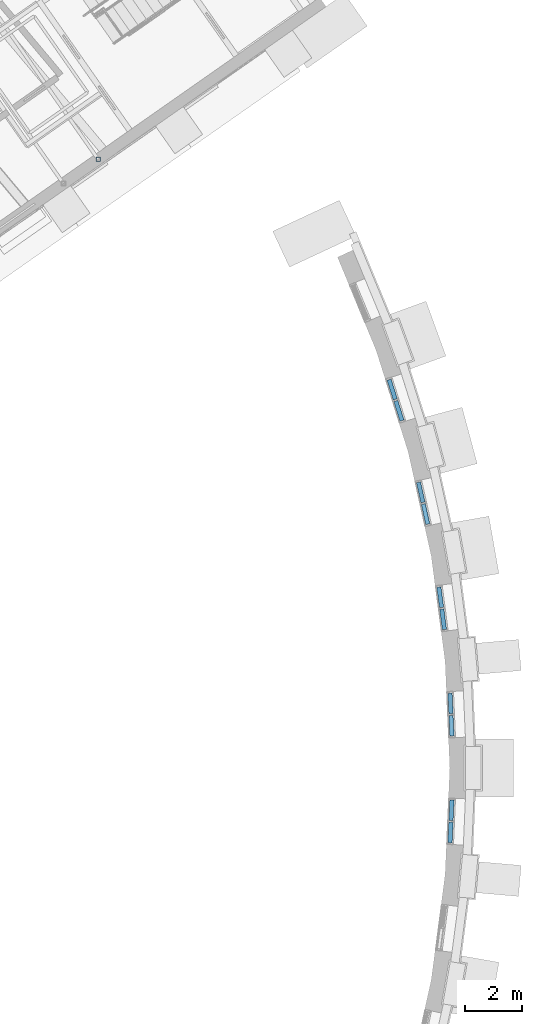
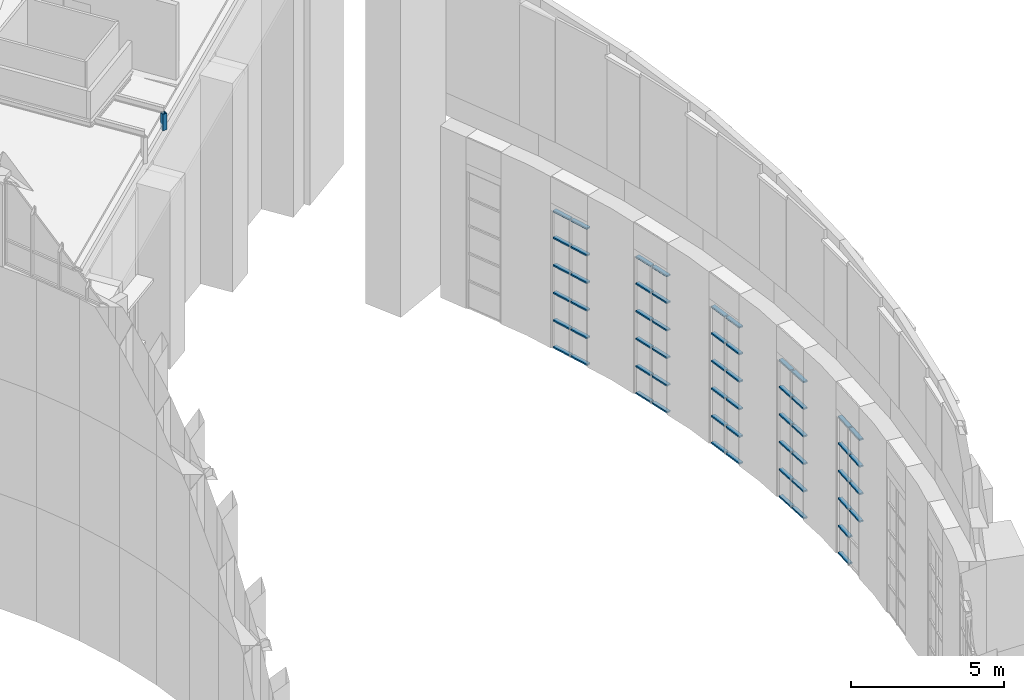
# One storey, part 34 of 82: 59 members, 5 elements without a shape of their own.
"""IFC4 building model written with IfcOpenShell, lengths in metres."""

from ifc_helpers import new_model, si_unit, direction, frame, origin, origin_2d, place, context, subcontext, project, spatial, rectangle, hollow_rectangle, extrude, material, layer, layer_set, material_profile, profile_set, type_object, element, aggregate, save


model = new_model("IFC4")

# Units and contexts
model_context = context("Model", 3, precision=1e-05, world=origin(), true_north=direction((0.0, 1.0)))
body_context = subcontext(model_context, "Body", "Model", "MODEL_VIEW")
ifc_project = project(units=[si_unit("LENGTHUNIT", "METRE"), si_unit("AREAUNIT", "SQUARE_METRE"), si_unit("VOLUMEUNIT", "CUBIC_METRE"), si_unit("PLANEANGLEUNIT", "RADIAN"), si_unit("MASSUNIT", "GRAM", prefix="KILO")], contexts=[model_context])

# Site, building, storey
site_placement = place(None, origin())
site = spatial("IfcSite", under=ifc_project, at=site_placement, CompositionType="ELEMENT")
building_placement = place(site_placement, origin())
building = spatial("IfcBuilding", under=site, at=building_placement, Name="Volute Hill Aquarium", CompositionType="ELEMENT")
storey_placement = place(building_placement, frame((0.0, 0.0, 13.800048828125)))
storey = spatial("IfcBuildingStorey", under=building, at=storey_placement, Name="L04", CompositionType="ELEMENT", Elevation=13.800048828125)

# Curtain wall, members
ifc_material_1 = material(Name="Aluminium", Category="aluminium")
ifc_layer = layer(ifc_material_1, 0.25)
ifc_layer_set = layer_set([ifc_layer], Name="Curtain wall niche S4 module 819")
curtain_wall_type = type_object("IfcCurtainWallType", Name="Curtain wall niche S4 module 819", PredefinedType="NOTDEFINED", material=ifc_layer_set)
curtain_wall_1_placement = place(storey_placement, origin())
curtain_wall_1 = element("IfcCurtainWall", 1, at=curtain_wall_1_placement, inside=storey, type_object=curtain_wall_type, Name="Curtain wall CW S4 L04 5", PredefinedType="NOTDEFINED")
ifc_material_2 = material(Name="Aluminium", Category="aluminium")
ifc_material_profile_1 = material_profile(ifc_material_2, rectangle(XDim=0.14990234375, YDim=0.06005859375, at=origin_2d()), Name="Curtain wall transom S4 60x150")
ifc_profile_set_1 = profile_set([ifc_material_profile_1], Name="Aluminium")
member_type_1 = type_object("IfcMemberType", Name="Curtain wall transom S4 60x150", PredefinedType="USERDEFINED", material=ifc_profile_set_1)
member_1_placement = place(storey_placement, frame((43.209228515625, -2.64599609375, 2.2041015625), z_axis=(0.04355353531, 0.99905109457, 0.0), x_axis=(-0.99905109457, 0.04355353531, 0.0)))
member_1 = element("IfcMember", 2, at=member_1_placement, type_object=member_type_1, Name="CW transom 1.3", ObjectType="TRANSOM", PredefinedType="USERDEFINED", context=body_context, shape_type="SweptSolid", body=[
    extrude(rectangle(XDim=0.14990234375, YDim=0.06005859375, at=origin_2d()), origin(), (0.0, 0.0, 1.0), 0.728759765625),
])
member_2_placement = place(storey_placement, frame((43.209228515625, -2.64599609375, 3.30615234375), z_axis=(0.04355353531, 0.99905109457, 0.0), x_axis=(-0.99905109457, 0.04355353531, 0.0)))
member_2 = element("IfcMember", 3, at=member_2_placement, type_object=member_type_1, Name="CW transom 1.4", ObjectType="TRANSOM", PredefinedType="USERDEFINED", context=body_context, shape_type="SweptSolid", body=[
    extrude(rectangle(XDim=0.14990234375, YDim=0.06005859375, at=origin_2d()), origin(), (0.0, 0.0, 1.0), 0.728759765625),
])
member_3_placement = place(storey_placement, frame((43.209228515625, -2.64599609375, 4.408203125), z_axis=(0.04355353531, 0.99905109457, 0.0), x_axis=(-0.99905109457, 0.04355353531, 0.0)))
member_3 = element("IfcMember", 4, at=member_3_placement, type_object=member_type_1, Name="CW transom 1.5", ObjectType="TRANSOM", PredefinedType="USERDEFINED", context=body_context, shape_type="SweptSolid", body=[
    extrude(rectangle(XDim=0.14990234375, YDim=0.06005859375, at=origin_2d()), origin(), (0.0, 0.0, 1.0), 0.728759765625),
])
member_4_placement = place(storey_placement, frame((43.209228515625, -2.64599609375, 5.48046875), z_axis=(0.04355353531, 0.99905109457, 0.0), x_axis=(-0.99905109457, 0.04355353531, 0.0)))
member_4 = element("IfcMember", 5, at=member_4_placement, type_object=member_type_1, Name="CW transom 1.6", ObjectType="TRANSOM", PredefinedType="USERDEFINED", context=body_context, shape_type="SweptSolid", body=[
    extrude(rectangle(XDim=0.14990234375, YDim=0.06005859375, at=origin_2d()), origin(), (0.0, 0.0, 1.0), 0.728759765625),
])
member_5_placement = place(storey_placement, frame((43.24365234375, -1.85791015625, 0.030029296875), z_axis=(0.04355353531, 0.99905109457, 0.0), x_axis=(-0.99905109457, 0.04355353531, 0.0)))
member_5 = element("IfcMember", 6, at=member_5_placement, type_object=member_type_1, Name="CW transom 2.1", ObjectType="TRANSOM", PredefinedType="USERDEFINED", context=body_context, shape_type="SweptSolid", body=[
    extrude(rectangle(XDim=0.14990234375, YDim=0.06005859375, at=origin_2d()), origin(), (0.0, 0.0, 1.0), 0.728759765625),
])
member_6_placement = place(storey_placement, frame((43.24365234375, -1.85791015625, 1.10205078125), z_axis=(0.04355353531, 0.99905109457, 0.0), x_axis=(-0.99905109457, 0.04355353531, 0.0)))
member_6 = element("IfcMember", 7, at=member_6_placement, type_object=member_type_1, Name="CW transom 2.2", ObjectType="TRANSOM", PredefinedType="USERDEFINED", context=body_context, shape_type="SweptSolid", body=[
    extrude(rectangle(XDim=0.14990234375, YDim=0.06005859375, at=origin_2d()), origin(), (0.0, 0.0, 1.0), 0.728759765625),
])
member_7_placement = place(storey_placement, frame((43.24365234375, -1.85791015625, 2.2041015625), z_axis=(0.04355353531, 0.99905109457, 0.0), x_axis=(-0.99905109457, 0.04355353531, 0.0)))
member_7 = element("IfcMember", 8, at=member_7_placement, type_object=member_type_1, Name="CW transom 2.3", ObjectType="TRANSOM", PredefinedType="USERDEFINED", context=body_context, shape_type="SweptSolid", body=[
    extrude(rectangle(XDim=0.14990234375, YDim=0.06005859375, at=origin_2d()), origin(), (0.0, 0.0, 1.0), 0.728759765625),
])
member_8_placement = place(storey_placement, frame((43.24365234375, -1.85791015625, 3.30615234375), z_axis=(0.04355353531, 0.99905109457, 0.0), x_axis=(-0.99905109457, 0.04355353531, 0.0)))
member_8 = element("IfcMember", 9, at=member_8_placement, type_object=member_type_1, Name="CW transom 2.4", ObjectType="TRANSOM", PredefinedType="USERDEFINED", context=body_context, shape_type="SweptSolid", body=[
    extrude(rectangle(XDim=0.14990234375, YDim=0.06005859375, at=origin_2d()), origin(), (0.0, 0.0, 1.0), 0.728759765625),
])
member_9_placement = place(storey_placement, frame((43.24365234375, -1.85791015625, 4.408203125), z_axis=(0.04355353531, 0.99905109457, 0.0), x_axis=(-0.99905109457, 0.04355353531, 0.0)))
member_9 = element("IfcMember", 10, at=member_9_placement, type_object=member_type_1, Name="CW transom 2.5", ObjectType="TRANSOM", PredefinedType="USERDEFINED", context=body_context, shape_type="SweptSolid", body=[
    extrude(rectangle(XDim=0.14990234375, YDim=0.06005859375, at=origin_2d()), origin(), (0.0, 0.0, 1.0), 0.728759765625),
])
member_10_placement = place(storey_placement, frame((43.24365234375, -1.85791015625, 5.48046875), z_axis=(0.04355353531, 0.99905109457, 0.0), x_axis=(-0.99905109457, 0.04355353531, 0.0)))
member_10 = element("IfcMember", 11, at=member_10_placement, type_object=member_type_1, Name="CW transom 2.6", ObjectType="TRANSOM", PredefinedType="USERDEFINED", context=body_context, shape_type="SweptSolid", body=[
    extrude(rectangle(XDim=0.14990234375, YDim=0.06005859375, at=origin_2d()), origin(), (0.0, 0.0, 1.0), 0.728759765625),
])
aggregate(curtain_wall_1, [member_1, member_2, member_3, member_4, member_5, member_6, member_7, member_8, member_9, member_10])

curtain_wall_2_placement = place(storey_placement, origin())
curtain_wall_2 = element("IfcCurtainWall", 12, at=curtain_wall_2_placement, inside=storey, type_object=curtain_wall_type, Name="Curtain wall CW S4 L04 6", PredefinedType="NOTDEFINED")
member_11_placement = place(storey_placement, frame((43.275390625, 1.130126953125, 0.030029296875), z_axis=(-0.04355353531, 0.99905109457, 0.0), x_axis=(-0.99905109457, -0.04355353531, 0.0)))
member_11 = element("IfcMember", 13, at=member_11_placement, type_object=member_type_1, Name="CW transom 1.1", ObjectType="TRANSOM", PredefinedType="USERDEFINED", context=body_context, shape_type="SweptSolid", body=[
    extrude(rectangle(XDim=0.14990234375, YDim=0.06005859375, at=origin_2d()), origin(), (0.0, 0.0, 1.0), 0.728759765625),
])
member_12_placement = place(storey_placement, frame((43.275390625, 1.130126953125, 1.10205078125), z_axis=(-0.04355353531, 0.99905109457, 0.0), x_axis=(-0.99905109457, -0.04355353531, 0.0)))
member_12 = element("IfcMember", 14, at=member_12_placement, type_object=member_type_1, Name="CW transom 1.2", ObjectType="TRANSOM", PredefinedType="USERDEFINED", context=body_context, shape_type="SweptSolid", body=[
    extrude(rectangle(XDim=0.14990234375, YDim=0.06005859375, at=origin_2d()), origin(), (0.0, 0.0, 1.0), 0.728759765625),
])
member_13_placement = place(storey_placement, frame((43.275390625, 1.130126953125, 2.2041015625), z_axis=(-0.04355353531, 0.99905109457, 0.0), x_axis=(-0.99905109457, -0.04355353531, 0.0)))
member_13 = element("IfcMember", 15, at=member_13_placement, type_object=member_type_1, Name="CW transom 1.3", ObjectType="TRANSOM", PredefinedType="USERDEFINED", context=body_context, shape_type="SweptSolid", body=[
    extrude(rectangle(XDim=0.14990234375, YDim=0.06005859375, at=origin_2d()), origin(), (0.0, 0.0, 1.0), 0.728759765625),
])
member_14_placement = place(storey_placement, frame((43.275390625, 1.130126953125, 3.30615234375), z_axis=(-0.04355353531, 0.99905109457, 0.0), x_axis=(-0.99905109457, -0.04355353531, 0.0)))
member_14 = element("IfcMember", 16, at=member_14_placement, type_object=member_type_1, Name="CW transom 1.4", ObjectType="TRANSOM", PredefinedType="USERDEFINED", context=body_context, shape_type="SweptSolid", body=[
    extrude(rectangle(XDim=0.14990234375, YDim=0.06005859375, at=origin_2d()), origin(), (0.0, 0.0, 1.0), 0.728759765625),
])
member_15_placement = place(storey_placement, frame((43.275390625, 1.130126953125, 4.408203125), z_axis=(-0.04355353531, 0.99905109457, 0.0), x_axis=(-0.99905109457, -0.04355353531, 0.0)))
member_15 = element("IfcMember", 17, at=member_15_placement, type_object=member_type_1, Name="CW transom 1.5", ObjectType="TRANSOM", PredefinedType="USERDEFINED", context=body_context, shape_type="SweptSolid", body=[
    extrude(rectangle(XDim=0.14990234375, YDim=0.06005859375, at=origin_2d()), origin(), (0.0, 0.0, 1.0), 0.728759765625),
])
member_16_placement = place(storey_placement, frame((43.275390625, 1.130126953125, 5.48046875), z_axis=(-0.04355353531, 0.99905109457, 0.0), x_axis=(-0.99905109457, -0.04355353531, 0.0)))
member_16 = element("IfcMember", 18, at=member_16_placement, type_object=member_type_1, Name="CW transom 1.6", ObjectType="TRANSOM", PredefinedType="USERDEFINED", context=body_context, shape_type="SweptSolid", body=[
    extrude(rectangle(XDim=0.14990234375, YDim=0.06005859375, at=origin_2d()), origin(), (0.0, 0.0, 1.0), 0.728759765625),
])
member_17_placement = place(storey_placement, frame((43.240966796875, 1.91796875, 0.030029296875), z_axis=(-0.04355353531, 0.99905109457, 0.0), x_axis=(-0.99905109457, -0.04355353531, 0.0)))
member_17 = element("IfcMember", 19, at=member_17_placement, type_object=member_type_1, Name="CW transom 2.1", ObjectType="TRANSOM", PredefinedType="USERDEFINED", context=body_context, shape_type="SweptSolid", body=[
    extrude(rectangle(XDim=0.14990234375, YDim=0.06005859375, at=origin_2d()), origin(), (0.0, 0.0, 1.0), 0.728759765625),
])
member_18_placement = place(storey_placement, frame((43.240966796875, 1.91796875, 1.10205078125), z_axis=(-0.04355353531, 0.99905109457, 0.0), x_axis=(-0.99905109457, -0.04355353531, 0.0)))
member_18 = element("IfcMember", 20, at=member_18_placement, type_object=member_type_1, Name="CW transom 2.2", ObjectType="TRANSOM", PredefinedType="USERDEFINED", context=body_context, shape_type="SweptSolid", body=[
    extrude(rectangle(XDim=0.14990234375, YDim=0.06005859375, at=origin_2d()), origin(), (0.0, 0.0, 1.0), 0.728759765625),
])
member_19_placement = place(storey_placement, frame((43.240966796875, 1.91796875, 2.2041015625), z_axis=(-0.04355353531, 0.99905109457, 0.0), x_axis=(-0.99905109457, -0.04355353531, 0.0)))
member_19 = element("IfcMember", 21, at=member_19_placement, type_object=member_type_1, Name="CW transom 2.3", ObjectType="TRANSOM", PredefinedType="USERDEFINED", context=body_context, shape_type="SweptSolid", body=[
    extrude(rectangle(XDim=0.14990234375, YDim=0.06005859375, at=origin_2d()), origin(), (0.0, 0.0, 1.0), 0.728759765625),
])
member_20_placement = place(storey_placement, frame((43.240966796875, 1.91796875, 3.30615234375), z_axis=(-0.04355353531, 0.99905109457, 0.0), x_axis=(-0.99905109457, -0.04355353531, 0.0)))
member_20 = element("IfcMember", 22, at=member_20_placement, type_object=member_type_1, Name="CW transom 2.4", ObjectType="TRANSOM", PredefinedType="USERDEFINED", context=body_context, shape_type="SweptSolid", body=[
    extrude(rectangle(XDim=0.14990234375, YDim=0.06005859375, at=origin_2d()), origin(), (0.0, 0.0, 1.0), 0.728759765625),
])
member_21_placement = place(storey_placement, frame((43.240966796875, 1.91796875, 4.408203125), z_axis=(-0.04355353531, 0.99905109457, 0.0), x_axis=(-0.99905109457, -0.04355353531, 0.0)))
member_21 = element("IfcMember", 23, at=member_21_placement, type_object=member_type_1, Name="CW transom 2.5", ObjectType="TRANSOM", PredefinedType="USERDEFINED", context=body_context, shape_type="SweptSolid", body=[
    extrude(rectangle(XDim=0.14990234375, YDim=0.06005859375, at=origin_2d()), origin(), (0.0, 0.0, 1.0), 0.728759765625),
])
member_22_placement = place(storey_placement, frame((43.240966796875, 1.91796875, 5.48046875), z_axis=(-0.04355353531, 0.99905109457, 0.0), x_axis=(-0.99905109457, -0.04355353531, 0.0)))
member_22 = element("IfcMember", 24, at=member_22_placement, type_object=member_type_1, Name="CW transom 2.6", ObjectType="TRANSOM", PredefinedType="USERDEFINED", context=body_context, shape_type="SweptSolid", body=[
    extrude(rectangle(XDim=0.14990234375, YDim=0.06005859375, at=origin_2d()), origin(), (0.0, 0.0, 1.0), 0.728759765625),
])
aggregate(curtain_wall_2, [member_11, member_12, member_13, member_14, member_15, member_16, member_17, member_18, member_19, member_20, member_21, member_22])

curtain_wall_3_placement = place(storey_placement, origin())
curtain_wall_3 = element("IfcCurtainWall", 25, at=curtain_wall_3_placement, inside=storey, type_object=curtain_wall_type, Name="Curtain wall CW S4 L04 7", PredefinedType="NOTDEFINED")
member_23_placement = place(storey_placement, frame((43.01220703125, 4.8974609375, 0.030029296875), z_axis=(-0.130671188566, 0.991425761456, 0.0), x_axis=(-0.991425761456, -0.130671188566, 0.0)))
member_23 = element("IfcMember", 26, at=member_23_placement, type_object=member_type_1, Name="CW transom 1.1", ObjectType="TRANSOM", PredefinedType="USERDEFINED", context=body_context, shape_type="SweptSolid", body=[
    extrude(rectangle(XDim=0.14990234375, YDim=0.06005859375, at=origin_2d()), origin(), (0.0, 0.0, 1.0), 0.728759765625),
])
member_24_placement = place(storey_placement, frame((43.01220703125, 4.8974609375, 1.10205078125), z_axis=(-0.130671188566, 0.991425761456, 0.0), x_axis=(-0.991425761456, -0.130671188566, 0.0)))
member_24 = element("IfcMember", 27, at=member_24_placement, type_object=member_type_1, Name="CW transom 1.2", ObjectType="TRANSOM", PredefinedType="USERDEFINED", context=body_context, shape_type="SweptSolid", body=[
    extrude(rectangle(XDim=0.14990234375, YDim=0.06005859375, at=origin_2d()), origin(), (0.0, 0.0, 1.0), 0.728759765625),
])
member_25_placement = place(storey_placement, frame((43.01220703125, 4.8974609375, 2.2041015625), z_axis=(-0.130671188566, 0.991425761456, 0.0), x_axis=(-0.991425761456, -0.130671188566, 0.0)))
member_25 = element("IfcMember", 28, at=member_25_placement, type_object=member_type_1, Name="CW transom 1.3", ObjectType="TRANSOM", PredefinedType="USERDEFINED", context=body_context, shape_type="SweptSolid", body=[
    extrude(rectangle(XDim=0.14990234375, YDim=0.06005859375, at=origin_2d()), origin(), (0.0, 0.0, 1.0), 0.728759765625),
])
member_26_placement = place(storey_placement, frame((43.01220703125, 4.8974609375, 3.30615234375), z_axis=(-0.130671188566, 0.991425761456, 0.0), x_axis=(-0.991425761456, -0.130671188566, 0.0)))
member_26 = element("IfcMember", 29, at=member_26_placement, type_object=member_type_1, Name="CW transom 1.4", ObjectType="TRANSOM", PredefinedType="USERDEFINED", context=body_context, shape_type="SweptSolid", body=[
    extrude(rectangle(XDim=0.14990234375, YDim=0.06005859375, at=origin_2d()), origin(), (0.0, 0.0, 1.0), 0.728759765625),
])
member_27_placement = place(storey_placement, frame((43.01220703125, 4.8974609375, 4.408203125), z_axis=(-0.130671188566, 0.991425761456, 0.0), x_axis=(-0.991425761456, -0.130671188566, 0.0)))
member_27 = element("IfcMember", 30, at=member_27_placement, type_object=member_type_1, Name="CW transom 1.5", ObjectType="TRANSOM", PredefinedType="USERDEFINED", context=body_context, shape_type="SweptSolid", body=[
    extrude(rectangle(XDim=0.14990234375, YDim=0.06005859375, at=origin_2d()), origin(), (0.0, 0.0, 1.0), 0.728759765625),
])
member_28_placement = place(storey_placement, frame((43.01220703125, 4.8974609375, 5.48046875), z_axis=(-0.130671188566, 0.991425761456, 0.0), x_axis=(-0.991425761456, -0.130671188566, 0.0)))
member_28 = element("IfcMember", 31, at=member_28_placement, type_object=member_type_1, Name="CW transom 1.6", ObjectType="TRANSOM", PredefinedType="USERDEFINED", context=body_context, shape_type="SweptSolid", body=[
    extrude(rectangle(XDim=0.14990234375, YDim=0.06005859375, at=origin_2d()), origin(), (0.0, 0.0, 1.0), 0.728759765625),
])
member_29_placement = place(storey_placement, frame((42.9091796875, 5.679443359375, 0.030029296875), z_axis=(-0.130341833664, 0.991469115201, 0.0), x_axis=(-0.991469115201, -0.130341833664, 0.0)))
member_29 = element("IfcMember", 32, at=member_29_placement, type_object=member_type_1, Name="CW transom 2.1", ObjectType="TRANSOM", PredefinedType="USERDEFINED", context=body_context, shape_type="SweptSolid", body=[
    extrude(rectangle(XDim=0.14990234375, YDim=0.06005859375, at=origin_2d()), origin(), (0.0, 0.0, 1.0), 0.728515625),
])
member_30_placement = place(storey_placement, frame((42.9091796875, 5.679443359375, 1.10205078125), z_axis=(-0.130341833664, 0.991469115201, 0.0), x_axis=(-0.991469115201, -0.130341833664, 0.0)))
member_30 = element("IfcMember", 33, at=member_30_placement, type_object=member_type_1, Name="CW transom 2.2", ObjectType="TRANSOM", PredefinedType="USERDEFINED", context=body_context, shape_type="SweptSolid", body=[
    extrude(rectangle(XDim=0.14990234375, YDim=0.06005859375, at=origin_2d()), origin(), (0.0, 0.0, 1.0), 0.728515625),
])
member_31_placement = place(storey_placement, frame((42.9091796875, 5.679443359375, 2.2041015625), z_axis=(-0.130341833664, 0.991469115201, 0.0), x_axis=(-0.991469115201, -0.130341833664, 0.0)))
member_31 = element("IfcMember", 34, at=member_31_placement, type_object=member_type_1, Name="CW transom 2.3", ObjectType="TRANSOM", PredefinedType="USERDEFINED", context=body_context, shape_type="SweptSolid", body=[
    extrude(rectangle(XDim=0.14990234375, YDim=0.06005859375, at=origin_2d()), origin(), (0.0, 0.0, 1.0), 0.728515625),
])
member_32_placement = place(storey_placement, frame((42.9091796875, 5.679443359375, 3.30615234375), z_axis=(-0.130341833664, 0.991469115201, 0.0), x_axis=(-0.991469115201, -0.130341833664, 0.0)))
member_32 = element("IfcMember", 35, at=member_32_placement, type_object=member_type_1, Name="CW transom 2.4", ObjectType="TRANSOM", PredefinedType="USERDEFINED", context=body_context, shape_type="SweptSolid", body=[
    extrude(rectangle(XDim=0.14990234375, YDim=0.06005859375, at=origin_2d()), origin(), (0.0, 0.0, 1.0), 0.728515625),
])
member_33_placement = place(storey_placement, frame((42.9091796875, 5.679443359375, 4.408203125), z_axis=(-0.130341833664, 0.991469115201, 0.0), x_axis=(-0.991469115201, -0.130341833664, 0.0)))
member_33 = element("IfcMember", 36, at=member_33_placement, type_object=member_type_1, Name="CW transom 2.5", ObjectType="TRANSOM", PredefinedType="USERDEFINED", context=body_context, shape_type="SweptSolid", body=[
    extrude(rectangle(XDim=0.14990234375, YDim=0.06005859375, at=origin_2d()), origin(), (0.0, 0.0, 1.0), 0.728515625),
])
member_34_placement = place(storey_placement, frame((42.9091796875, 5.679443359375, 5.48046875), z_axis=(-0.130341833664, 0.991469115201, 0.0), x_axis=(-0.991469115201, -0.130341833664, 0.0)))
member_34 = element("IfcMember", 37, at=member_34_placement, type_object=member_type_1, Name="CW transom 2.6", ObjectType="TRANSOM", PredefinedType="USERDEFINED", context=body_context, shape_type="SweptSolid", body=[
    extrude(rectangle(XDim=0.14990234375, YDim=0.06005859375, at=origin_2d()), origin(), (0.0, 0.0, 1.0), 0.728515625),
])
aggregate(curtain_wall_3, [member_23, member_24, member_25, member_26, member_27, member_28, member_29, member_30, member_31, member_32, member_33, member_34])

curtain_wall_4_placement = place(storey_placement, origin())
curtain_wall_4 = element("IfcCurtainWall", 38, at=curtain_wall_4_placement, inside=storey, type_object=curtain_wall_type, Name="Curtain wall CW S4 L04 8", PredefinedType="NOTDEFINED")
member_35_placement = place(storey_placement, frame((42.421630859375, 8.62744140625, 0.030029296875), z_axis=(-0.216433786926, 0.976297298919, 0.0), x_axis=(-0.976297298919, -0.216433786926, 0.0)))
member_35 = element("IfcMember", 39, at=member_35_placement, type_object=member_type_1, Name="CW transom 1.1", ObjectType="TRANSOM", PredefinedType="USERDEFINED", context=body_context, shape_type="SweptSolid", body=[
    extrude(rectangle(XDim=0.14990234375, YDim=0.06005859375, at=origin_2d()), origin(), (0.0, 0.0, 1.0), 0.728759765625),
])
member_36_placement = place(storey_placement, frame((42.421630859375, 8.62744140625, 1.10205078125), z_axis=(-0.216433786926, 0.976297298919, 0.0), x_axis=(-0.976297298919, -0.216433786926, 0.0)))
member_36 = element("IfcMember", 40, at=member_36_placement, type_object=member_type_1, Name="CW transom 1.2", ObjectType="TRANSOM", PredefinedType="USERDEFINED", context=body_context, shape_type="SweptSolid", body=[
    extrude(rectangle(XDim=0.14990234375, YDim=0.06005859375, at=origin_2d()), origin(), (0.0, 0.0, 1.0), 0.728759765625),
])
member_37_placement = place(storey_placement, frame((42.421630859375, 8.62744140625, 2.2041015625), z_axis=(-0.216433786926, 0.976297298919, 0.0), x_axis=(-0.976297298919, -0.216433786926, 0.0)))
member_37 = element("IfcMember", 41, at=member_37_placement, type_object=member_type_1, Name="CW transom 1.3", ObjectType="TRANSOM", PredefinedType="USERDEFINED", context=body_context, shape_type="SweptSolid", body=[
    extrude(rectangle(XDim=0.14990234375, YDim=0.06005859375, at=origin_2d()), origin(), (0.0, 0.0, 1.0), 0.728759765625),
])
member_38_placement = place(storey_placement, frame((42.421630859375, 8.62744140625, 3.30615234375), z_axis=(-0.216433786926, 0.976297298919, 0.0), x_axis=(-0.976297298919, -0.216433786926, 0.0)))
member_38 = element("IfcMember", 42, at=member_38_placement, type_object=member_type_1, Name="CW transom 1.4", ObjectType="TRANSOM", PredefinedType="USERDEFINED", context=body_context, shape_type="SweptSolid", body=[
    extrude(rectangle(XDim=0.14990234375, YDim=0.06005859375, at=origin_2d()), origin(), (0.0, 0.0, 1.0), 0.728759765625),
])
member_39_placement = place(storey_placement, frame((42.421630859375, 8.62744140625, 4.408203125), z_axis=(-0.216433786926, 0.976297298919, 0.0), x_axis=(-0.976297298919, -0.216433786926, 0.0)))
member_39 = element("IfcMember", 43, at=member_39_placement, type_object=member_type_1, Name="CW transom 1.5", ObjectType="TRANSOM", PredefinedType="USERDEFINED", context=body_context, shape_type="SweptSolid", body=[
    extrude(rectangle(XDim=0.14990234375, YDim=0.06005859375, at=origin_2d()), origin(), (0.0, 0.0, 1.0), 0.728759765625),
])
member_40_placement = place(storey_placement, frame((42.421630859375, 8.62744140625, 5.48046875), z_axis=(-0.216433786926, 0.976297298919, 0.0), x_axis=(-0.976297298919, -0.216433786926, 0.0)))
member_40 = element("IfcMember", 44, at=member_40_placement, type_object=member_type_1, Name="CW transom 1.6", ObjectType="TRANSOM", PredefinedType="USERDEFINED", context=body_context, shape_type="SweptSolid", body=[
    extrude(rectangle(XDim=0.14990234375, YDim=0.06005859375, at=origin_2d()), origin(), (0.0, 0.0, 1.0), 0.728759765625),
])
member_41_placement = place(storey_placement, frame((42.2509765625, 9.3974609375, 0.030029296875), z_axis=(-0.216433786926, 0.976297298919, 0.0), x_axis=(-0.976297298919, -0.216433786926, 0.0)))
member_41 = element("IfcMember", 45, at=member_41_placement, type_object=member_type_1, Name="CW transom 2.1", ObjectType="TRANSOM", PredefinedType="USERDEFINED", context=body_context, shape_type="SweptSolid", body=[
    extrude(rectangle(XDim=0.14990234375, YDim=0.06005859375, at=origin_2d()), origin(), (0.0, 0.0, 1.0), 0.728759765625),
])
member_42_placement = place(storey_placement, frame((42.2509765625, 9.3974609375, 1.10205078125), z_axis=(-0.216433786926, 0.976297298919, 0.0), x_axis=(-0.976297298919, -0.216433786926, 0.0)))
member_42 = element("IfcMember", 46, at=member_42_placement, type_object=member_type_1, Name="CW transom 2.2", ObjectType="TRANSOM", PredefinedType="USERDEFINED", context=body_context, shape_type="SweptSolid", body=[
    extrude(rectangle(XDim=0.14990234375, YDim=0.06005859375, at=origin_2d()), origin(), (0.0, 0.0, 1.0), 0.728759765625),
])
member_43_placement = place(storey_placement, frame((42.2509765625, 9.3974609375, 2.2041015625), z_axis=(-0.216433786926, 0.976297298919, 0.0), x_axis=(-0.976297298919, -0.216433786926, 0.0)))
member_43 = element("IfcMember", 47, at=member_43_placement, type_object=member_type_1, Name="CW transom 2.3", ObjectType="TRANSOM", PredefinedType="USERDEFINED", context=body_context, shape_type="SweptSolid", body=[
    extrude(rectangle(XDim=0.14990234375, YDim=0.06005859375, at=origin_2d()), origin(), (0.0, 0.0, 1.0), 0.728759765625),
])
member_44_placement = place(storey_placement, frame((42.2509765625, 9.3974609375, 3.30615234375), z_axis=(-0.216433786926, 0.976297298919, 0.0), x_axis=(-0.976297298919, -0.216433786926, 0.0)))
member_44 = element("IfcMember", 48, at=member_44_placement, type_object=member_type_1, Name="CW transom 2.4", ObjectType="TRANSOM", PredefinedType="USERDEFINED", context=body_context, shape_type="SweptSolid", body=[
    extrude(rectangle(XDim=0.14990234375, YDim=0.06005859375, at=origin_2d()), origin(), (0.0, 0.0, 1.0), 0.728759765625),
])
member_45_placement = place(storey_placement, frame((42.2509765625, 9.3974609375, 4.408203125), z_axis=(-0.216433786926, 0.976297298919, 0.0), x_axis=(-0.976297298919, -0.216433786926, 0.0)))
member_45 = element("IfcMember", 49, at=member_45_placement, type_object=member_type_1, Name="CW transom 2.5", ObjectType="TRANSOM", PredefinedType="USERDEFINED", context=body_context, shape_type="SweptSolid", body=[
    extrude(rectangle(XDim=0.14990234375, YDim=0.06005859375, at=origin_2d()), origin(), (0.0, 0.0, 1.0), 0.728759765625),
])
member_46_placement = place(storey_placement, frame((42.2509765625, 9.3974609375, 5.48046875), z_axis=(-0.216433786926, 0.976297298919, 0.0), x_axis=(-0.976297298919, -0.216433786926, 0.0)))
member_46 = element("IfcMember", 50, at=member_46_placement, type_object=member_type_1, Name="CW transom 2.6", ObjectType="TRANSOM", PredefinedType="USERDEFINED", context=body_context, shape_type="SweptSolid", body=[
    extrude(rectangle(XDim=0.14990234375, YDim=0.06005859375, at=origin_2d()), origin(), (0.0, 0.0, 1.0), 0.728759765625),
])
aggregate(curtain_wall_4, [member_35, member_36, member_37, member_38, member_39, member_40, member_41, member_42, member_43, member_44, member_45, member_46])

curtain_wall_5_placement = place(storey_placement, origin())
curtain_wall_5 = element("IfcCurtainWall", 51, at=curtain_wall_5_placement, inside=storey, type_object=curtain_wall_type, Name="Curtain wall CW S4 L04 9", PredefinedType="NOTDEFINED")
member_47_placement = place(storey_placement, frame((41.50830078125, 12.2919921875, 0.030029296875), z_axis=(-0.300506003221, 0.953779923267, 0.0), x_axis=(-0.953779923267, -0.300506003221, 0.0)))
member_47 = element("IfcMember", 52, at=member_47_placement, type_object=member_type_1, Name="CW transom 1.1", ObjectType="TRANSOM", PredefinedType="USERDEFINED", context=body_context, shape_type="SweptSolid", body=[
    extrude(rectangle(XDim=0.14990234375, YDim=0.06005859375, at=origin_2d()), origin(), (0.0, 0.0, 1.0), 0.728759765625),
])
member_48_placement = place(storey_placement, frame((41.50830078125, 12.2919921875, 1.10205078125), z_axis=(-0.300506003221, 0.953779923267, 0.0), x_axis=(-0.953779923267, -0.300506003221, 0.0)))
member_48 = element("IfcMember", 53, at=member_48_placement, type_object=member_type_1, Name="CW transom 1.2", ObjectType="TRANSOM", PredefinedType="USERDEFINED", context=body_context, shape_type="SweptSolid", body=[
    extrude(rectangle(XDim=0.14990234375, YDim=0.06005859375, at=origin_2d()), origin(), (0.0, 0.0, 1.0), 0.728759765625),
])
member_49_placement = place(storey_placement, frame((41.50830078125, 12.2919921875, 2.2041015625), z_axis=(-0.300506003221, 0.953779923267, 0.0), x_axis=(-0.953779923267, -0.300506003221, 0.0)))
member_49 = element("IfcMember", 54, at=member_49_placement, type_object=member_type_1, Name="CW transom 1.3", ObjectType="TRANSOM", PredefinedType="USERDEFINED", context=body_context, shape_type="SweptSolid", body=[
    extrude(rectangle(XDim=0.14990234375, YDim=0.06005859375, at=origin_2d()), origin(), (0.0, 0.0, 1.0), 0.728759765625),
])
member_50_placement = place(storey_placement, frame((41.50830078125, 12.2919921875, 3.30615234375), z_axis=(-0.300506003221, 0.953779923267, 0.0), x_axis=(-0.953779923267, -0.300506003221, 0.0)))
member_50 = element("IfcMember", 55, at=member_50_placement, type_object=member_type_1, Name="CW transom 1.4", ObjectType="TRANSOM", PredefinedType="USERDEFINED", context=body_context, shape_type="SweptSolid", body=[
    extrude(rectangle(XDim=0.14990234375, YDim=0.06005859375, at=origin_2d()), origin(), (0.0, 0.0, 1.0), 0.728759765625),
])
member_51_placement = place(storey_placement, frame((41.50830078125, 12.2919921875, 4.408203125), z_axis=(-0.300506003221, 0.953779923267, 0.0), x_axis=(-0.953779923267, -0.300506003221, 0.0)))
member_51 = element("IfcMember", 56, at=member_51_placement, type_object=member_type_1, Name="CW transom 1.5", ObjectType="TRANSOM", PredefinedType="USERDEFINED", context=body_context, shape_type="SweptSolid", body=[
    extrude(rectangle(XDim=0.14990234375, YDim=0.06005859375, at=origin_2d()), origin(), (0.0, 0.0, 1.0), 0.728759765625),
])
member_52_placement = place(storey_placement, frame((41.50830078125, 12.2919921875, 5.48046875), z_axis=(-0.300506003221, 0.953779923267, 0.0), x_axis=(-0.953779923267, -0.300506003221, 0.0)))
member_52 = element("IfcMember", 57, at=member_52_placement, type_object=member_type_1, Name="CW transom 1.6", ObjectType="TRANSOM", PredefinedType="USERDEFINED", context=body_context, shape_type="SweptSolid", body=[
    extrude(rectangle(XDim=0.14990234375, YDim=0.06005859375, at=origin_2d()), origin(), (0.0, 0.0, 1.0), 0.728759765625),
])
member_53_placement = place(storey_placement, frame((41.271240234375, 13.044189453125, 0.030029296875), z_axis=(-0.300810716557, 0.953683864184, 0.0), x_axis=(-0.953683864184, -0.300810716557, 0.0)))
member_53 = element("IfcMember", 58, at=member_53_placement, type_object=member_type_1, Name="CW transom 2.1", ObjectType="TRANSOM", PredefinedType="USERDEFINED", context=body_context, shape_type="SweptSolid", body=[
    extrude(rectangle(XDim=0.14990234375, YDim=0.06005859375, at=origin_2d()), origin(), (0.0, 0.0, 1.0), 0.728759765625),
])
member_54_placement = place(storey_placement, frame((41.271240234375, 13.044189453125, 1.10205078125), z_axis=(-0.300810716557, 0.953683864184, 0.0), x_axis=(-0.953683864184, -0.300810716557, 0.0)))
member_54 = element("IfcMember", 59, at=member_54_placement, type_object=member_type_1, Name="CW transom 2.2", ObjectType="TRANSOM", PredefinedType="USERDEFINED", context=body_context, shape_type="SweptSolid", body=[
    extrude(rectangle(XDim=0.14990234375, YDim=0.06005859375, at=origin_2d()), origin(), (0.0, 0.0, 1.0), 0.728759765625),
])
member_55_placement = place(storey_placement, frame((41.271240234375, 13.044189453125, 2.2041015625), z_axis=(-0.300810716557, 0.953683864184, 0.0), x_axis=(-0.953683864184, -0.300810716557, 0.0)))
member_55 = element("IfcMember", 60, at=member_55_placement, type_object=member_type_1, Name="CW transom 2.3", ObjectType="TRANSOM", PredefinedType="USERDEFINED", context=body_context, shape_type="SweptSolid", body=[
    extrude(rectangle(XDim=0.14990234375, YDim=0.06005859375, at=origin_2d()), origin(), (0.0, 0.0, 1.0), 0.728759765625),
])
member_56_placement = place(storey_placement, frame((41.271240234375, 13.044189453125, 3.30615234375), z_axis=(-0.300810716557, 0.953683864184, 0.0), x_axis=(-0.953683864184, -0.300810716557, 0.0)))
member_56 = element("IfcMember", 61, at=member_56_placement, type_object=member_type_1, Name="CW transom 2.4", ObjectType="TRANSOM", PredefinedType="USERDEFINED", context=body_context, shape_type="SweptSolid", body=[
    extrude(rectangle(XDim=0.14990234375, YDim=0.06005859375, at=origin_2d()), origin(), (0.0, 0.0, 1.0), 0.728759765625),
])
member_57_placement = place(storey_placement, frame((41.271240234375, 13.044189453125, 4.408203125), z_axis=(-0.300810716557, 0.953683864184, 0.0), x_axis=(-0.953683864184, -0.300810716557, 0.0)))
member_57 = element("IfcMember", 62, at=member_57_placement, type_object=member_type_1, Name="CW transom 2.5", ObjectType="TRANSOM", PredefinedType="USERDEFINED", context=body_context, shape_type="SweptSolid", body=[
    extrude(rectangle(XDim=0.14990234375, YDim=0.06005859375, at=origin_2d()), origin(), (0.0, 0.0, 1.0), 0.728759765625),
])
member_58_placement = place(storey_placement, frame((41.271240234375, 13.044189453125, 5.48046875), z_axis=(-0.300810716557, 0.953683864184, 0.0), x_axis=(-0.953683864184, -0.300810716557, 0.0)))
member_58 = element("IfcMember", 63, at=member_58_placement, type_object=member_type_1, Name="CW transom 2.6", ObjectType="TRANSOM", PredefinedType="USERDEFINED", context=body_context, shape_type="SweptSolid", body=[
    extrude(rectangle(XDim=0.14990234375, YDim=0.06005859375, at=origin_2d()), origin(), (0.0, 0.0, 1.0), 0.728759765625),
])
aggregate(curtain_wall_5, [member_47, member_48, member_49, member_50, member_51, member_52, member_53, member_54, member_55, member_56, member_57, member_58])

# Member
ifc_material_3 = material(Name="Steel S355", Category="steel")
ifc_material_profile_2 = material_profile(ifc_material_3, hollow_rectangle(XDim=0.14990234375, YDim=0.14990234375, WallThickness=0.010009765625, at=origin_2d()), Name="RHS 150x150x10")
ifc_profile_set_2 = profile_set([ifc_material_profile_2], Name="Steel S355")
member_type_2 = type_object("IfcMemberType", Name="Plant platform post RHS 150x150x10 S355", PredefinedType="POST", material=ifc_profile_set_2)
member_59_placement = place(storey_placement, frame((30.75927734375, 21.537841796875, 7.596435546875), z_axis=(0.0, 0.0, 1.0), x_axis=(1.0, 0.0, 0.0)))
element("IfcMember", 64, at=member_59_placement, inside=storey, type_object=member_type_2, Name="pf/S5/L04/post21", PredefinedType="POST", context=body_context, shape_type="SweptSolid", body=[
    extrude(hollow_rectangle(XDim=0.14990234375, YDim=0.14990234375, WallThickness=0.010009765625, at=origin_2d()), origin(), (0.0, 0.0, 1.0), 0.66357421875),
])

save(model, "model.ifc")
